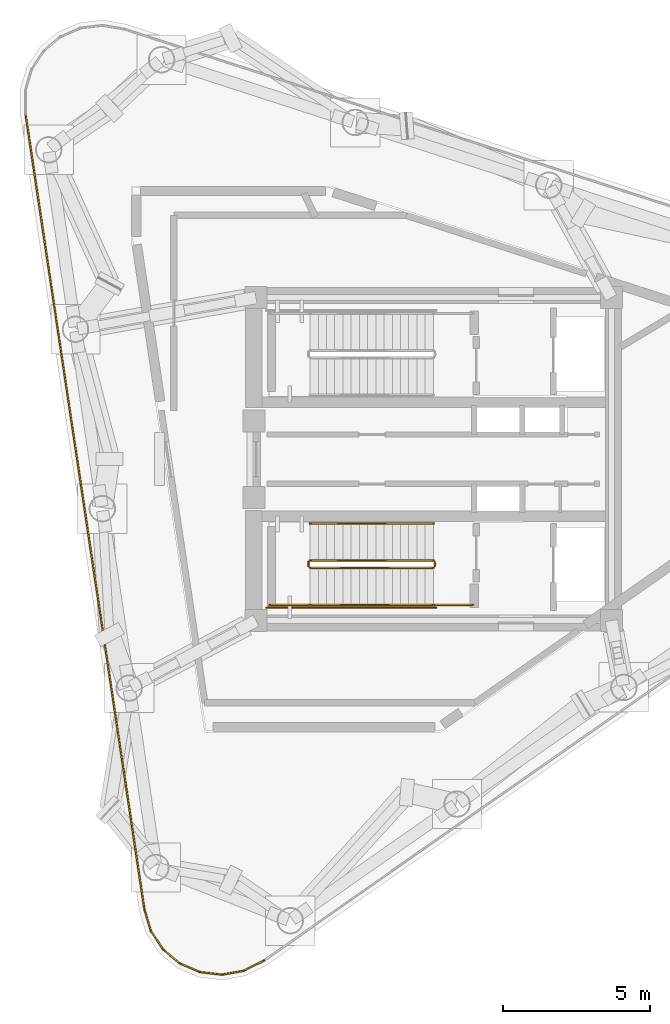
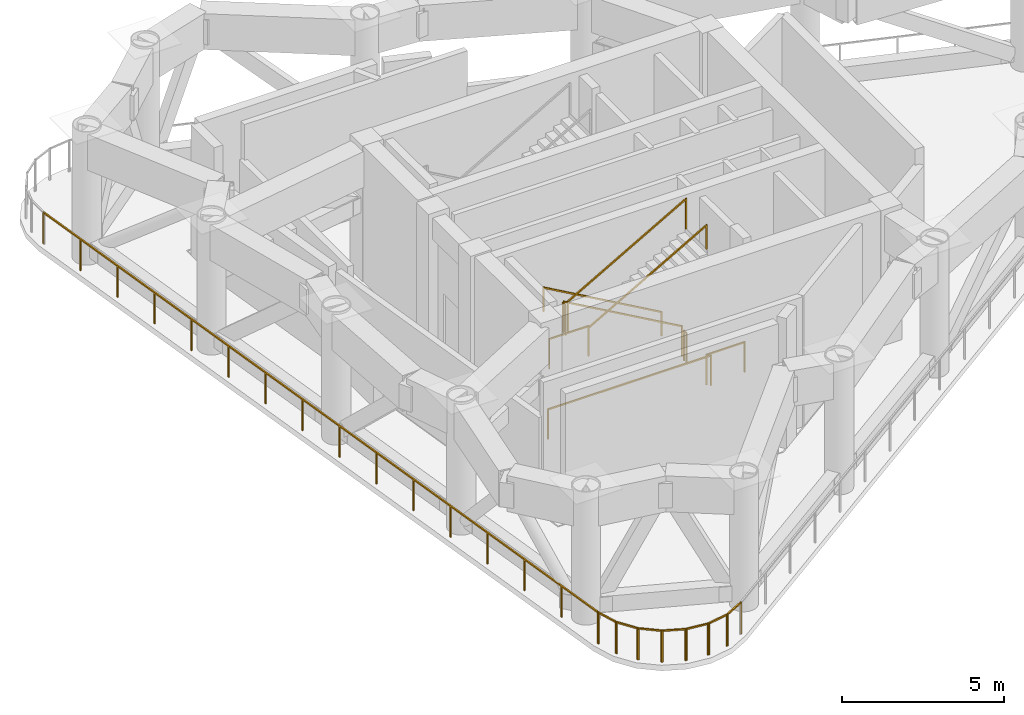
# One storey, part 6 of 9: 17 railings.
"""IFC4 building model written with IfcOpenShell, lengths in metres."""

from ifc_helpers import new_model, si_unit, direction, frame, origin, origin_2d, place, context, subcontext, project, spatial, rectangle, extrude, material, type_object, element, save


model = new_model("IFC4")

# Units and contexts
model_context = context("Model", 3, precision=1e-05, world=origin(), true_north=direction((0.0, 1.0)))
body_context = subcontext(model_context, "Body", "Model", "MODEL_VIEW")
ifc_project = project(units=[si_unit("LENGTHUNIT", "METRE"), si_unit("AREAUNIT", "SQUARE_METRE"), si_unit("VOLUMEUNIT", "CUBIC_METRE"), si_unit("PLANEANGLEUNIT", "RADIAN"), si_unit("MASSUNIT", "GRAM", prefix="KILO")], contexts=[model_context])

# Site, building, storey
site_placement = place(None, origin())
site = spatial("IfcSite", under=ifc_project, at=site_placement, CompositionType="ELEMENT")
building_placement = place(site_placement, origin())
building = spatial("IfcBuilding", under=site, at=building_placement, Name="Yunling Apex Tower", CompositionType="ELEMENT")
storey_placement = place(building_placement, frame((0.0, 0.0, 284.75)))
storey = spatial("IfcBuildingStorey", under=building, at=storey_placement, Name="RF8", CompositionType="ELEMENT", Elevation=284.75)

# Railings
ifc_material_1 = material(Name="Bronze anodised aluminium", Category="aluminium")
railing_type_1 = type_object("IfcRailingType", Name="RL-BAL-1200", PredefinedType="BALUSTRADE", material=ifc_material_1)
railing_1_placement = place(storey_placement, frame((-9.847900390625, -15.353515625, 0.0)))
element("IfcRailing", 1, at=railing_1_placement, inside=storey, type_object=railing_type_1, Name="RL-REF-RF8-01", PredefinedType="BALUSTRADE", context=body_context, shape_type="SweptSolid", body=[
    extrude(rectangle(XDim=0.0439453125, YDim=0.0439453125, at=origin_2d()), origin(), (0.0, 0.0, 1.0), 1.199951171875),
    extrude(rectangle(XDim=0.0439453125, YDim=0.0439453125, at=origin_2d()), frame((-4.05859375, 27.15673828125, 0.0)), (0.0, 0.0, 1.0), 1.199951171875),
    extrude(rectangle(XDim=0.050048828125, YDim=0.050048828125, at=origin_2d()), frame((-0.005615234375, 0.037841796875, 1.1748046875), z_axis=(-0.147809126874, 0.989015905844, 0.0), x_axis=(-0.989015905844, -0.147809126874, 0.0)), (0.0, 0.0, 1.0), 27.381591796875),
    extrude(rectangle(XDim=0.0439453125, YDim=0.0439453125, at=origin_2d()), frame((-0.2705078125, 1.810546875, 0.0)), (0.0, 0.0, 1.0), 1.14599609375),
    extrude(rectangle(XDim=0.0439453125, YDim=0.0439453125, at=origin_2d()), frame((-0.541259765625, 3.620849609375, 0.0)), (0.0, 0.0, 1.0), 1.14599609375),
    extrude(rectangle(XDim=0.0439453125, YDim=0.0439453125, at=origin_2d()), frame((-0.811767578125, 5.431396484375, 0.0)), (0.0, 0.0, 1.0), 1.14599609375),
    extrude(rectangle(XDim=0.0439453125, YDim=0.0439453125, at=origin_2d()), frame((-1.082275390625, 7.24169921875, 0.0)), (0.0, 0.0, 1.0), 1.14599609375),
    extrude(rectangle(XDim=0.0439453125, YDim=0.0439453125, at=origin_2d()), frame((-1.352783203125, 9.05224609375, 0.0)), (0.0, 0.0, 1.0), 1.14599609375),
    extrude(rectangle(XDim=0.0439453125, YDim=0.0439453125, at=origin_2d()), frame((-1.62353515625, 10.86279296875, 0.0)), (0.0, 0.0, 1.0), 1.14599609375),
    extrude(rectangle(XDim=0.0439453125, YDim=0.0439453125, at=origin_2d()), frame((-1.89404296875, 12.673095703125, 0.0)), (0.0, 0.0, 1.0), 1.14599609375),
    extrude(rectangle(XDim=0.0439453125, YDim=0.0439453125, at=origin_2d()), frame((-2.16455078125, 14.483642578125, 0.0)), (0.0, 0.0, 1.0), 1.14599609375),
    extrude(rectangle(XDim=0.0439453125, YDim=0.0439453125, at=origin_2d()), frame((-2.43505859375, 16.2939453125, 0.0)), (0.0, 0.0, 1.0), 1.14599609375),
    extrude(rectangle(XDim=0.0439453125, YDim=0.0439453125, at=origin_2d()), frame((-2.705810546875, 18.1044921875, 0.0)), (0.0, 0.0, 1.0), 1.14599609375),
    extrude(rectangle(XDim=0.0439453125, YDim=0.0439453125, at=origin_2d()), frame((-2.976318359375, 19.9150390625, 0.0)), (0.0, 0.0, 1.0), 1.14599609375),
    extrude(rectangle(XDim=0.0439453125, YDim=0.0439453125, at=origin_2d()), frame((-3.246826171875, 21.725341796875, 0.0)), (0.0, 0.0, 1.0), 1.14599609375),
    extrude(rectangle(XDim=0.0439453125, YDim=0.0439453125, at=origin_2d()), frame((-3.517333984375, 23.535888671875, 0.0)), (0.0, 0.0, 1.0), 1.14599609375),
    extrude(rectangle(XDim=0.0439453125, YDim=0.0439453125, at=origin_2d()), frame((-3.7880859375, 25.34619140625, 0.0)), (0.0, 0.0, 1.0), 1.14599609375),
])
railing_2_placement = place(storey_placement, frame((-5.7783203125, -17.0771484375, 0.0)))
element("IfcRailing", 2, at=railing_2_placement, inside=storey, type_object=railing_type_1, Name="RL-REF-RF8-18", PredefinedType="BALUSTRADE", context=body_context, shape_type="SweptSolid", body=[
    extrude(rectangle(XDim=0.0439453125, YDim=0.0439453125, at=origin_2d()), origin(), (0.0, 0.0, 1.0), 1.199951171875),
    extrude(rectangle(XDim=0.0439453125, YDim=0.0439453125, at=origin_2d()), frame((-0.7080078125, -0.35498046875, 0.0)), (0.0, 0.0, 1.0), 1.199951171875),
    extrude(rectangle(XDim=0.050048828125, YDim=0.050048828125, at=origin_2d()), frame((-0.0341796875, -0.01708984375, 1.1748046875), z_axis=(-0.893933442416, -0.448199732853, 0.0), x_axis=(0.448199732853, -0.893933442416, 0.0)), (0.0, 0.0, 1.0), 0.71533203125),
])
railing_3_placement = place(storey_placement, frame((-6.4580078125, -17.4228515625, 0.0)))
element("IfcRailing", 3, at=railing_3_placement, inside=storey, type_object=railing_type_1, Name="RL-REF-RF8-19", PredefinedType="BALUSTRADE", context=body_context, shape_type="SweptSolid", body=[
    extrude(rectangle(XDim=0.0439453125, YDim=0.0439453125, at=origin_2d()), origin(), (0.0, 0.0, 1.0), 1.199951171875),
    extrude(rectangle(XDim=0.0439453125, YDim=0.0439453125, at=origin_2d()), frame((-0.76708984375, -0.13525390625, 0.0)), (0.0, 0.0, 1.0), 1.199951171875),
    extrude(rectangle(XDim=0.050048828125, YDim=0.050048828125, at=origin_2d()), frame((-0.037841796875, -0.006591796875, 1.1748046875), z_axis=(-0.984808791414, -0.173642288493, 0.0), x_axis=(0.173642288493, -0.984808791414, 0.0)), (0.0, 0.0, 1.0), 0.7021484375),
])
railing_4_placement = place(storey_placement, frame((-7.195556640625, -17.557373046875, 0.0)))
element("IfcRailing", 4, at=railing_4_placement, inside=storey, type_object=railing_type_1, Name="RL-REF-RF8-20", PredefinedType="BALUSTRADE", context=body_context, shape_type="SweptSolid", body=[
    extrude(rectangle(XDim=0.0439453125, YDim=0.0439453125, at=origin_2d()), origin(), (0.0, 0.0, 1.0), 1.199951171875),
    extrude(rectangle(XDim=0.0439453125, YDim=0.0439453125, at=origin_2d()), frame((-0.773681640625, 0.090087890625, 0.0)), (0.0, 0.0, 1.0), 1.199951171875),
    extrude(rectangle(XDim=0.050048828125, YDim=0.050048828125, at=origin_2d()), frame((-0.0380859375, 0.00439453125, 1.1748046875), z_axis=(-0.993288969451, 0.115659081643, 0.0), x_axis=(-0.115659081643, -0.993288969451, 0.0)), (0.0, 0.0, 1.0), 0.7021484375),
])
railing_5_placement = place(storey_placement, frame((-7.9404296875, -17.47509765625, 0.0)))
element("IfcRailing", 5, at=railing_5_placement, inside=storey, type_object=railing_type_1, Name="RL-REF-RF8-21", PredefinedType="BALUSTRADE", context=body_context, shape_type="SweptSolid", body=[
    extrude(rectangle(XDim=0.0439453125, YDim=0.0439453125, at=origin_2d()), origin(), (0.0, 0.0, 1.0), 1.199951171875),
    extrude(rectangle(XDim=0.0439453125, YDim=0.0439453125, at=origin_2d()), frame((-0.715576171875, 0.307861328125, 0.0)), (0.0, 0.0, 1.0), 1.199951171875),
    extrude(rectangle(XDim=0.050048828125, YDim=0.050048828125, at=origin_2d()), frame((-0.03515625, 0.01513671875, 1.1748046875), z_axis=(-0.918592968051, 0.395204958278, 0.0), x_axis=(-0.395204958278, -0.918592968051, 0.0)), (0.0, 0.0, 1.0), 0.702392578125),
])
railing_6_placement = place(storey_placement, frame((-8.630615234375, -17.182861328125, 0.0)))
element("IfcRailing", 6, at=railing_6_placement, inside=storey, type_object=railing_type_1, Name="RL-REF-RF8-22", PredefinedType="BALUSTRADE", context=body_context, shape_type="SweptSolid", body=[
    extrude(rectangle(XDim=0.0439453125, YDim=0.0439453125, at=origin_2d()), origin(), (0.0, 0.0, 1.0), 1.199951171875),
    extrude(rectangle(XDim=0.0439453125, YDim=0.0439453125, at=origin_2d()), frame((-0.597412109375, 0.499755859375, 0.0)), (0.0, 0.0, 1.0), 1.199951171875),
    extrude(rectangle(XDim=0.050048828125, YDim=0.050048828125, at=origin_2d()), frame((-0.029296875, 0.024658203125, 1.1748046875), z_axis=(-0.767012359333, 0.641632325114, 0.0), x_axis=(-0.641632325114, -0.767012359333, 0.0)), (0.0, 0.0, 1.0), 0.7021484375),
])
railing_7_placement = place(storey_placement, frame((-9.20849609375, -16.705322265625, 0.0)))
element("IfcRailing", 7, at=railing_7_placement, inside=storey, type_object=railing_type_1, Name="RL-REF-RF8-23", PredefinedType="BALUSTRADE", context=body_context, shape_type="SweptSolid", body=[
    extrude(rectangle(XDim=0.0439453125, YDim=0.0439453125, at=origin_2d()), origin(), (0.0, 0.0, 1.0), 1.199951171875),
    extrude(rectangle(XDim=0.0439453125, YDim=0.0439453125, at=origin_2d()), frame((-0.42919921875, 0.64990234375, 0.0)), (0.0, 0.0, 1.0), 1.199951171875),
    extrude(rectangle(XDim=0.050048828125, YDim=0.050048828125, at=origin_2d()), frame((-0.021240234375, 0.031982421875, 1.1748046875), z_axis=(-0.551078008449, 0.834453730655, 0.0), x_axis=(-0.834453730655, -0.551078008449, 0.0)), (0.0, 0.0, 1.0), 0.7021484375),
])
railing_8_placement = place(storey_placement, frame((-9.625244140625, -16.08251953125, 0.0)))
element("IfcRailing", 8, at=railing_8_placement, inside=storey, type_object=railing_type_1, Name="RL-REF-RF8-24", PredefinedType="BALUSTRADE", context=body_context, shape_type="SweptSolid", body=[
    extrude(rectangle(XDim=0.0439453125, YDim=0.0439453125, at=origin_2d()), origin(), (0.0, 0.0, 1.0), 1.199951171875),
    extrude(rectangle(XDim=0.0439453125, YDim=0.0439453125, at=origin_2d()), frame((-0.229248046875, 0.75830078125, 0.0)), (0.0, 0.0, 1.0), 1.199951171875),
    extrude(rectangle(XDim=0.050048828125, YDim=0.050048828125, at=origin_2d()), frame((-0.010986328125, 0.03662109375, 1.1748046875), z_axis=(-0.289382934457, 0.957213412591, 0.0), x_axis=(-0.957213412591, -0.289382934457, 0.0)), (0.0, 0.0, 1.0), 0.715576171875),
])
ifc_material_2 = material(Name="Steel Q355B", Category="steel")
railing_type_2 = type_object("IfcRailingType", Name="RL-GRD-1150", PredefinedType="GUARDRAIL", material=ifc_material_2)
railing_9_placement = place(storey_placement, frame((-0.010009765625, -3.449951171875, 0.159423828125)))
element("IfcRailing", 9, at=railing_9_placement, inside=storey, type_object=railing_type_2, Name="RF8 ST-2 stair guard 1", PredefinedType="GUARDRAIL", context=body_context, shape_type="SweptSolid", body=[
    extrude(rectangle(XDim=0.0439453125, YDim=0.0439453125, at=origin_2d()), origin(), (0.0, 0.0, 1.0), 1.14990234375),
    extrude(rectangle(XDim=0.0439453125, YDim=0.0439453125, at=origin_2d()), frame((-4.199951171875, 0.0, 2.390625)), (0.0, 0.0, 1.0), 1.14990234375),
    extrude(rectangle(XDim=0.050048828125, YDim=0.050048828125, at=origin_2d()), frame((-0.033203125, 0.0, 1.143798828125), z_axis=(-0.869075089623, 0.0, 0.494680188199), x_axis=(0.0, -1.0, 0.0)), (0.0, 0.0, 1.0), 4.756103515625),
])
railing_10_placement = place(storey_placement, frame((-4.260009765625, -3.5, 2.550048828125)))
element("IfcRailing", 10, at=railing_10_placement, inside=storey, type_object=railing_type_2, Name="RF8 ST-2 stair guard 2", PredefinedType="GUARDRAIL", context=body_context, shape_type="SweptSolid", body=[
    extrude(rectangle(XDim=0.0439453125, YDim=0.0439453125, at=origin_2d()), origin(), (0.0, 0.0, 1.0), 1.14990234375),
    extrude(rectangle(XDim=0.0439453125, YDim=0.0439453125, at=origin_2d()), frame((0.0, -0.14990234375, 0.0)), (0.0, 0.0, 1.0), 1.14990234375),
    extrude(rectangle(XDim=0.050048828125, YDim=0.050048828125, at=origin_2d()), frame((0.0, -0.038330078125, 1.125), z_axis=(0.0, -1.0, 0.0), x_axis=(1.0, 0.0, 0.0)), (0.0, 0.0, 1.0), 0.0732421875),
])
railing_11_placement = place(storey_placement, frame((-4.2099609375, -4.9599609375, 2.550048828125)))
element("IfcRailing", 11, at=railing_11_placement, inside=storey, type_object=railing_type_2, Name="RF8 ST-2 stair guard 3", PredefinedType="GUARDRAIL", context=body_context, shape_type="SweptSolid", body=[
    extrude(rectangle(XDim=0.0439453125, YDim=0.0439453125, at=origin_2d()), origin(), (0.0, 0.0, 1.0), 1.14990234375),
    extrude(rectangle(XDim=0.0439453125, YDim=0.0439453125, at=origin_2d()), frame((-1.39013671875, 0.0, 0.0)), (0.0, 0.0, 1.0), 1.14990234375),
    extrude(rectangle(XDim=0.050048828125, YDim=0.050048828125, at=origin_2d()), frame((-0.038330078125, 0.0, 1.125), z_axis=(-1.0, 0.0, 0.0), x_axis=(0.0, -1.0, 0.0)), (0.0, 0.0, 1.0), 1.3134765625),
])
railing_12_placement = place(storey_placement, frame((-4.2099609375, -3.699951171875, 2.70947265625)))
element("IfcRailing", 12, at=railing_12_placement, inside=storey, type_object=railing_type_2, Name="RF8 ST-2 stair guard 4", PredefinedType="GUARDRAIL", context=body_context, shape_type="SweptSolid", body=[
    extrude(rectangle(XDim=0.0439453125, YDim=0.0439453125, at=origin_2d()), origin(), (0.0, 0.0, 1.0), 1.14990234375),
    extrude(rectangle(XDim=0.0439453125, YDim=0.0439453125, at=origin_2d()), frame((4.199951171875, 0.0, 2.390625)), (0.0, 0.0, 1.0), 1.14990234375),
    extrude(rectangle(XDim=0.050048828125, YDim=0.050048828125, at=origin_2d()), frame((0.033203125, 0.0, 1.143798828125), z_axis=(0.869075089623, 0.0, 0.494680188199), x_axis=(0.0, 1.0, 0.0)), (0.0, 0.0, 1.0), 4.756103515625),
])
railing_13_placement = place(storey_placement, frame((0.0400390625, -3.5, 0.0)))
element("IfcRailing", 13, at=railing_13_placement, inside=storey, type_object=railing_type_2, Name="RF8 ST-2 stair guard 5", PredefinedType="GUARDRAIL", context=body_context, shape_type="SweptSolid", body=[
    extrude(rectangle(XDim=0.0439453125, YDim=0.0439453125, at=origin_2d()), origin(), (0.0, 0.0, 1.0), 1.14990234375),
    extrude(rectangle(XDim=0.0439453125, YDim=0.0439453125, at=origin_2d()), frame((0.0, -0.14990234375, 0.0)), (0.0, 0.0, 1.0), 1.14990234375),
    extrude(rectangle(XDim=0.050048828125, YDim=0.050048828125, at=origin_2d()), frame((0.0, -0.038330078125, 1.125), z_axis=(0.0, -1.0, 0.0), x_axis=(1.0, 0.0, 0.0)), (0.0, 0.0, 1.0), 0.0732421875),
])
railing_14_placement = place(storey_placement, frame((1.35009765625, -4.9599609375, 0.0)))
element("IfcRailing", 14, at=railing_14_placement, inside=storey, type_object=railing_type_2, Name="RF8 ST-2 stair guard 6", PredefinedType="GUARDRAIL", context=body_context, shape_type="SweptSolid", body=[
    extrude(rectangle(XDim=0.0439453125, YDim=0.0439453125, at=origin_2d()), origin(), (0.0, 0.0, 1.0), 1.14990234375),
    extrude(rectangle(XDim=0.0439453125, YDim=0.0439453125, at=origin_2d()), frame((-1.360107421875, 0.0, 0.0)), (0.0, 0.0, 1.0), 1.14990234375),
    extrude(rectangle(XDim=0.050048828125, YDim=0.050048828125, at=origin_2d()), frame((-0.038330078125, 0.0, 1.125), z_axis=(-1.0, 0.0, 0.0), x_axis=(0.0, -1.0, 0.0)), (0.0, 0.0, 1.0), 1.283447265625),
])
railing_15_placement = place(storey_placement, frame((0.090087890625, -5.06005859375, 0.0)))
element("IfcRailing", 15, at=railing_15_placement, inside=storey, type_object=railing_type_2, Name="RF8 ST-2 stair guard 7", PredefinedType="GUARDRAIL", context=body_context, shape_type="SweptSolid", body=[
    extrude(rectangle(XDim=0.0439453125, YDim=0.0439453125, at=origin_2d()), origin(), (0.0, 0.0, 1.0), 1.14990234375),
    extrude(rectangle(XDim=0.0439453125, YDim=0.0439453125, at=origin_2d()), frame((-5.7900390625, 0.0, 0.0)), (0.0, 0.0, 1.0), 1.14990234375),
    extrude(rectangle(XDim=0.050048828125, YDim=0.050048828125, at=origin_2d()), frame((-0.038330078125, 0.0, 1.125), z_axis=(-1.0, 0.0, 0.0), x_axis=(0.0, -1.0, 0.0)), (0.0, 0.0, 1.0), 5.71337890625),
])
ifc_material_3 = material(Name="Silver anodised aluminium", Category="aluminium")
railing_type_3 = type_object("IfcRailingType", Name="RL-HND-900", PredefinedType="HANDRAIL", material=ifc_material_3)
railing_16_placement = place(storey_placement, frame((-0.010009765625, -2.18994140625, 0.159423828125)))
element("IfcRailing", 16, at=railing_16_placement, inside=storey, type_object=railing_type_3, Name="RF8 ST-2 stair handrail 1", PredefinedType="HANDRAIL", context=body_context, shape_type="SweptSolid", body=[
    extrude(rectangle(XDim=0.0439453125, YDim=0.0439453125, at=origin_2d()), origin(), (0.0, 0.0, 1.0), 0.919921875),
    extrude(rectangle(XDim=0.0439453125, YDim=0.0439453125, at=origin_2d()), frame((-4.199951171875, 0.0, 2.390625)), (0.0, 0.0, 1.0), 0.919921875),
    extrude(rectangle(XDim=0.050048828125, YDim=0.050048828125, at=origin_2d()), frame((-0.033203125, 0.0, 0.913818359375), z_axis=(-0.869075089623, 0.0, 0.494680188199), x_axis=(0.0, -1.0, 0.0)), (0.0, 0.0, 1.0), 4.756103515625),
])
railing_17_placement = place(storey_placement, frame((-4.2099609375, -4.9599609375, 2.70947265625)))
element("IfcRailing", 17, at=railing_17_placement, inside=storey, type_object=railing_type_3, Name="RF8 ST-2 stair handrail 2", PredefinedType="HANDRAIL", context=body_context, shape_type="SweptSolid", body=[
    extrude(rectangle(XDim=0.0439453125, YDim=0.0439453125, at=origin_2d()), origin(), (0.0, 0.0, 1.0), 0.919921875),
    extrude(rectangle(XDim=0.0439453125, YDim=0.0439453125, at=origin_2d()), frame((4.199951171875, 0.0, 2.390625)), (0.0, 0.0, 1.0), 0.919921875),
    extrude(rectangle(XDim=0.050048828125, YDim=0.050048828125, at=origin_2d()), frame((0.033203125, 0.0, 0.913818359375), z_axis=(0.869075089623, 0.0, 0.494680188199), x_axis=(0.0, 1.0, 0.0)), (0.0, 0.0, 1.0), 4.756103515625),
])

save(model, "model.ifc")
